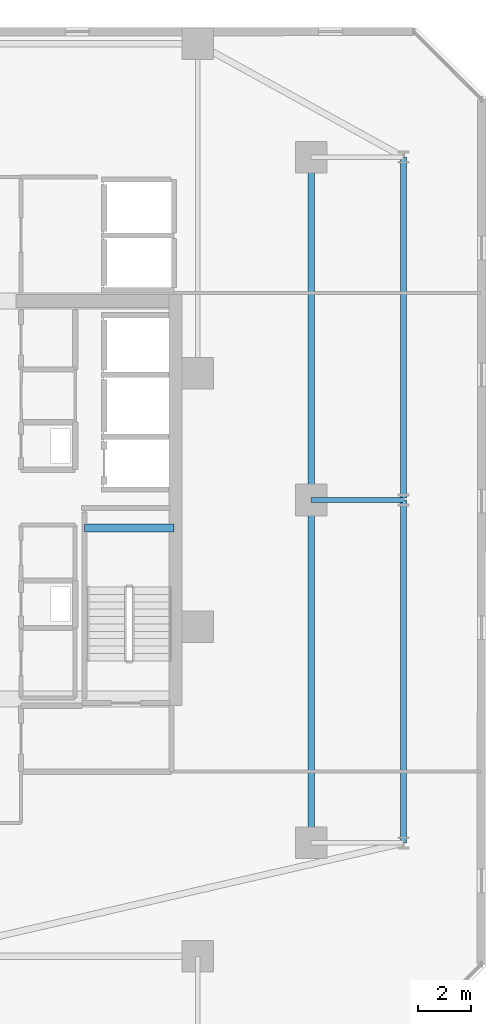
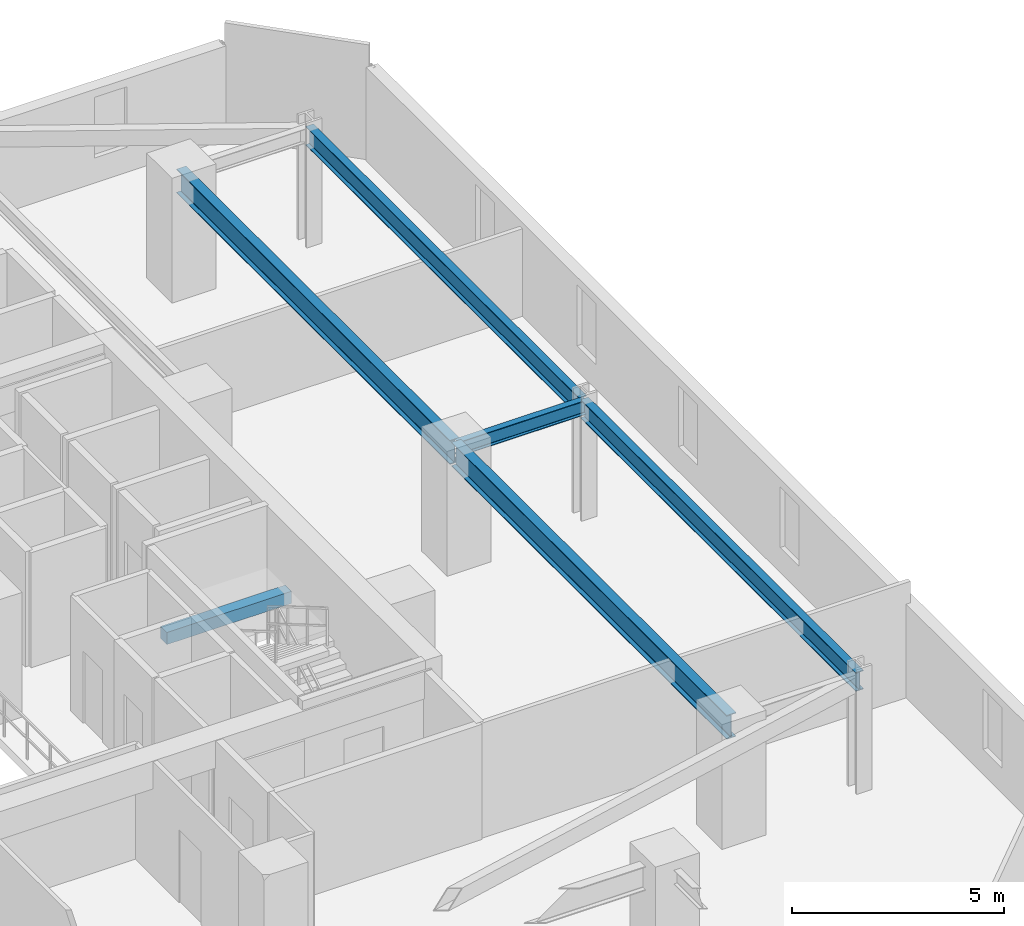
# One storey, part 13 of 31: 6 beams.
"""IFC4 building model written with IfcOpenShell, lengths in metres."""

from ifc_helpers import new_model, si_unit, direction, frame, origin, origin_2d, place, context, subcontext, project, spatial, rectangle, i_section, extrude, material, material_profile, profile_set, type_object, element, save


model = new_model("IFC4")

# Units and contexts
model_context = context("Model", 3, precision=1e-05, world=origin(), true_north=direction((0.0, 1.0)))
body_context = subcontext(model_context, "Body", "Model", "MODEL_VIEW")
ifc_project = project(units=[si_unit("LENGTHUNIT", "METRE"), si_unit("AREAUNIT", "SQUARE_METRE"), si_unit("VOLUMEUNIT", "CUBIC_METRE"), si_unit("PLANEANGLEUNIT", "RADIAN"), si_unit("MASSUNIT", "GRAM", prefix="KILO")], contexts=[model_context])

# Site, building, storey
site_placement = place(None, origin())
site = spatial("IfcSite", under=ifc_project, at=site_placement, CompositionType="ELEMENT")
building_placement = place(site_placement, origin())
building = spatial("IfcBuilding", under=site, at=building_placement, Name="Thornwick Lancets Civic Towers", CompositionType="ELEMENT")
storey_placement = place(building_placement, frame((0.0, 0.0, 119.699951171875)))
storey = spatial("IfcBuildingStorey", under=building, at=storey_placement, Name="L31", CompositionType="ELEMENT", Elevation=119.699951171875)

# Beams
ifc_material_1 = material(Name="Steel S355JR", Category="steel")
ifc_material_profile_1 = material_profile(ifc_material_1, i_section(OverallWidth=0.2119140625, OverallDepth=0.54443359375, WebThickness=0.0126953125, FlangeThickness=0.021240234375, FilletRadius=0.0126953125, at=origin_2d()), Name="UKB 533x210x122")
ifc_profile_set_1 = profile_set([ifc_material_profile_1], Name="Steel S355JR")
beam_type_1 = type_object("IfcBeamType", Name="BM_EDGE_533_122", PredefinedType="SPANDREL", material=ifc_profile_set_1)
beam_1_placement = place(storey_placement, frame((109.300048828125, 14.0, 3.06787109375), z_axis=(0.0, 1.0, 0.0), x_axis=(-1.0, 0.0, 0.0)))
element("IfcBeam", 1, at=beam_1_placement, inside=storey, type_object=beam_type_1, Name="BM-EDGE-L31-B-S0-1", PredefinedType="SPANDREL", context=body_context, shape_type="SweptSolid", body=[
    extrude(i_section(OverallWidth=0.2119140625, OverallDepth=0.54443359375, WebThickness=0.0126953125, FlangeThickness=0.021240234375, FilletRadius=0.0126953125, at=origin_2d()), origin(), (0.0, 0.0, 1.0), 13.0),
])
beam_2_placement = place(storey_placement, frame((109.300048828125, 27.080078125, 3.06787109375), z_axis=(0.0, 1.0, 0.0), x_axis=(-1.0, 0.0, 0.0)))
element("IfcBeam", 2, at=beam_2_placement, inside=storey, type_object=beam_type_1, Name="BM-EDGE-L31-B-S0-2", PredefinedType="SPANDREL", context=body_context, shape_type="SweptSolid", body=[
    extrude(i_section(OverallWidth=0.2119140625, OverallDepth=0.54443359375, WebThickness=0.0126953125, FlangeThickness=0.021240234375, FilletRadius=0.0126953125, at=origin_2d()), origin(), (0.0, 0.0, 1.0), 12.919921875),
])
ifc_material_profile_2 = material_profile(ifc_material_1, i_section(OverallWidth=0.255859375, OverallDepth=0.69287109375, WebThickness=0.014404296875, FlangeThickness=0.023681640625, FilletRadius=0.01513671875, at=origin_2d()), Name="UKB 686x254x170")
ifc_profile_set_2 = profile_set([ifc_material_profile_2], Name="Steel S355JR")
beam_type_2 = type_object("IfcBeamType", Name="BM_GIRD_686_170", PredefinedType="BEAM", material=ifc_profile_set_2)
beam_3_placement = place(storey_placement, frame((105.800048828125, 14.0, 2.99365234375), z_axis=(0.0, 1.0, 0.0), x_axis=(-1.0, 0.0, 0.0)))
element("IfcBeam", 3, at=beam_3_placement, inside=storey, type_object=beam_type_2, Name="BM-SPINE-L31-B-0-1", PredefinedType="BEAM", context=body_context, shape_type="SweptSolid", body=[
    extrude(i_section(OverallWidth=0.255859375, OverallDepth=0.69287109375, WebThickness=0.014404296875, FlangeThickness=0.023681640625, FilletRadius=0.01513671875, at=origin_2d()), origin(), (0.0, 0.0, 1.0), 13.0),
])
beam_4_placement = place(storey_placement, frame((105.800048828125, 27.080078125, 2.99365234375), z_axis=(0.0, 1.0, 0.0), x_axis=(-1.0, 0.0, 0.0)))
element("IfcBeam", 4, at=beam_4_placement, inside=storey, type_object=beam_type_2, Name="BM-SPINE-L31-B-1-2", PredefinedType="BEAM", context=body_context, shape_type="SweptSolid", body=[
    extrude(i_section(OverallWidth=0.255859375, OverallDepth=0.69287109375, WebThickness=0.014404296875, FlangeThickness=0.023681640625, FilletRadius=0.01513671875, at=origin_2d()), origin(), (0.0, 0.0, 1.0), 12.919921875),
])
ifc_material_profile_3 = material_profile(ifc_material_1, i_section(OverallWidth=0.179443359375, OverallDepth=0.412841796875, WebThickness=0.009521484375, FlangeThickness=0.01611328125, FilletRadius=0.01025390625, at=origin_2d()), Name="UKB 406x178x74")
ifc_profile_set_3 = profile_set([ifc_material_profile_3], Name="Steel S355JR")
beam_type_3 = type_object("IfcBeamType", Name="BM_JOIST_406_74", PredefinedType="JOIST", material=ifc_profile_set_3)
beam_5_placement = place(storey_placement, frame((105.800048828125, 27.0, 3.133544921875), z_axis=(1.0, 0.0, 0.0), x_axis=(0.0, 1.0, 0.0)))
element("IfcBeam", 5, at=beam_5_placement, inside=storey, type_object=beam_type_3, Name="BM-RAD-L31-B02", PredefinedType="JOIST", context=body_context, shape_type="SweptSolid", body=[
    extrude(i_section(OverallWidth=0.179443359375, OverallDepth=0.412841796875, WebThickness=0.009521484375, FlangeThickness=0.01611328125, FilletRadius=0.01025390625, at=origin_2d()), origin(), (0.0, 0.0, 1.0), 3.5),
])
ifc_material_2 = material(Name="Concrete C40/50", Category="concrete")
ifc_material_profile_4 = material_profile(ifc_material_2, rectangle(XDim=0.300048828125, YDim=0.35009765625, at=origin_2d()), Name="RC 300x350")
ifc_profile_set_4 = profile_set([ifc_material_profile_4], Name="Concrete C40/50")
beam_type_4 = type_object("IfcBeamType", Name="BM_STAIR_LDG", PredefinedType="BEAM", material=ifc_profile_set_4)
beam_6_placement = place(storey_placement, frame((100.60009765625, 25.93505859375, 1.3779296875), z_axis=(-1.0, 0.0, 0.0), x_axis=(0.0, -1.0, 0.0)))
element("IfcBeam", 6, at=beam_6_placement, inside=storey, type_object=beam_type_4, Name="L31 ST-B1 Landing Support Beam 1", PredefinedType="BEAM", context=body_context, shape_type="SweptSolid", body=[
    extrude(rectangle(XDim=0.300048828125, YDim=0.35009765625, at=origin_2d()), origin(), (0.0, 0.0, 1.0), 3.400146484375),
])

save(model, "model.ifc")
